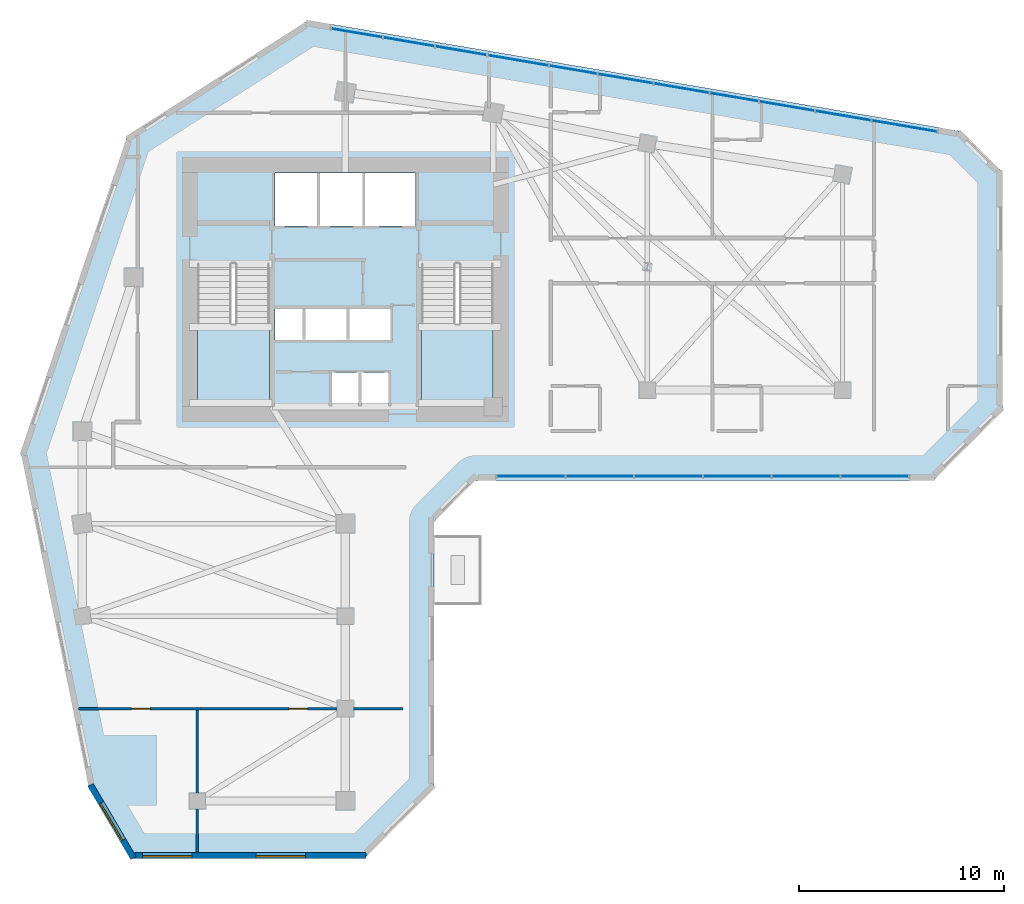
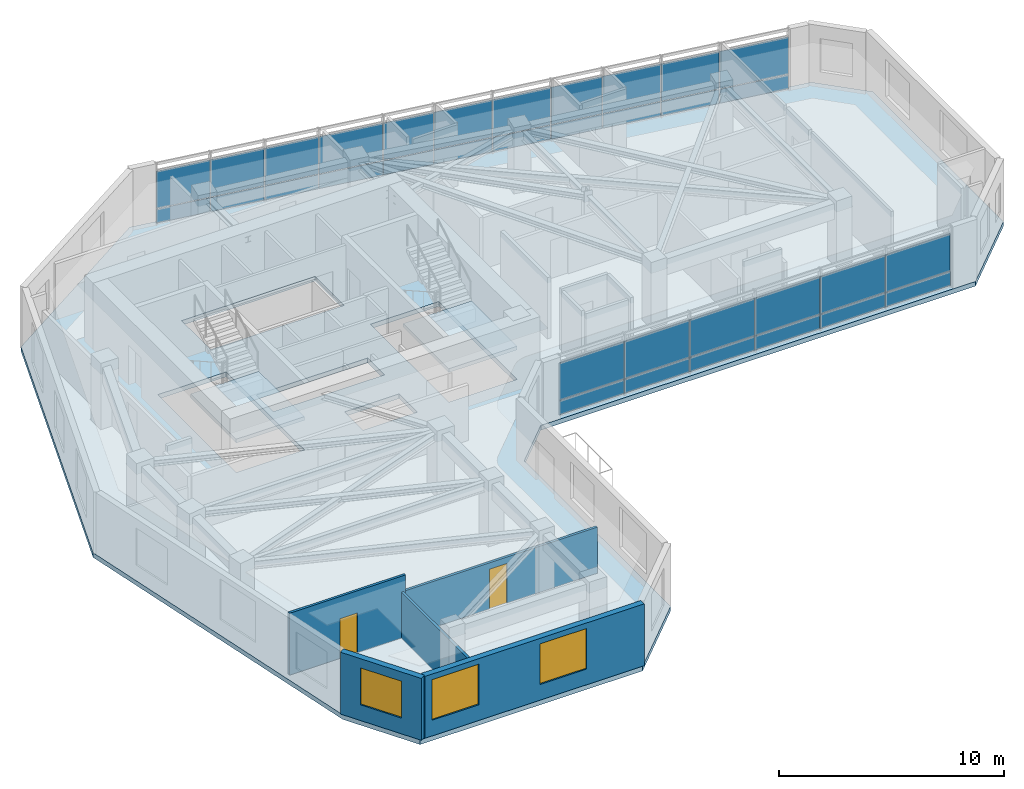
# One storey, part 3 of 10: 34 plates, 5 walls, 3 slabs, 3 windows, 2 doors, 5 openings, 4 elements without a shape of their own.
"""IFC4 building model written with IfcOpenShell, lengths in metres."""

from ifc_helpers import new_model, si_unit, direction, frame, frame_2d, origin, place, context, subcontext, project, spatial, polyline, rectangle, outline, extrude, source, transform, mapped, material, layer, layer_set, type_object, element, fill, aggregate, save


model = new_model("IFC4")

# Units and contexts
model_context = context("Model", 3, precision=1e-05, world=origin(), true_north=direction((0.0, 1.0)))
body_context = subcontext(model_context, "Body", "Model", "MODEL_VIEW")
ifc_project = project(units=[si_unit("LENGTHUNIT", "METRE"), si_unit("AREAUNIT", "SQUARE_METRE"), si_unit("VOLUMEUNIT", "CUBIC_METRE"), si_unit("PLANEANGLEUNIT", "RADIAN"), si_unit("MASSUNIT", "GRAM", prefix="KILO")], contexts=[model_context])

# Site, building, storey
site_placement = place(None, origin())
site = spatial("IfcSite", under=ifc_project, at=site_placement, CompositionType="ELEMENT")
building_placement = place(site_placement, origin())
building = spatial("IfcBuilding", under=site, at=building_placement, Name="Calvemar Wedge Station Tower", CompositionType="ELEMENT")
storey_placement = place(building_placement, frame((0.0, 0.0, 153.800048828125)))
storey = spatial("IfcBuildingStorey", under=building, at=storey_placement, Name="L38", CompositionType="ELEMENT", Elevation=153.800048828125)

# Curtain wall, plates
ifc_material_1 = material(Name="Anodised aluminium 6063-T6", Category="aluminium")
curtain_wall_type = type_object("IfcCurtainWallType", Name="CW2", PredefinedType="NOTDEFINED", material=ifc_material_1)
curtain_wall_1_placement = place(storey_placement, origin())
curtain_wall_1 = element("IfcCurtainWall", 1, at=curtain_wall_1_placement, inside=storey, type_object=curtain_wall_type, Name="Storey L38 CW2 Recessed Unitised Curtain Wall 6", PredefinedType="NOTDEFINED")
ifc_material_2 = material(Name="Low-E laminated insulated glass", Category="glass")
ifc_layer_1 = layer(ifc_material_2, 0.028076171875)
ifc_layer_set_1 = layer_set([ifc_layer_1], Name="Low-E laminated insulated glass")
plate_type_1 = type_object("IfcPlateType", Name="CW2-GLZ", PredefinedType="CURTAIN_PANEL", material=ifc_layer_set_1)
plate_1_placement = place(storey_placement, frame((31.183837890625, 30.802001953125, 0.869873046875), z_axis=(0.0, 0.0, 1.0), x_axis=(1.0, 0.0, 0.0)))
plate_1 = element("IfcPlate", 2, at=plate_1_placement, type_object=plate_type_1, Name="CW2 vision glass panel 1", PredefinedType="CURTAIN_PANEL", context=body_context, shape_type="SweptSolid", body=[
    extrude(rectangle(XDim=3.309326171875, YDim=0.028076171875, at=frame_2d((1.65478515625, 0.0))), origin(), (0.0, 0.0, 1.0), 2.010009765625),
])
plate_2_placement = place(storey_placement, frame((34.529296875, 30.802001953125, 0.869873046875), z_axis=(0.0, 0.0, 1.0), x_axis=(1.0, 0.0, 0.0)))
plate_2 = element("IfcPlate", 3, at=plate_2_placement, type_object=plate_type_1, Name="CW2 vision glass panel 2", PredefinedType="CURTAIN_PANEL", context=body_context, shape_type="SweptSolid", body=[
    extrude(rectangle(XDim=3.309326171875, YDim=0.028076171875, at=frame_2d((1.65478515625, 0.0))), origin(), (0.0, 0.0, 1.0), 2.010009765625),
])
plate_3_placement = place(storey_placement, frame((37.87451171875, 30.802001953125, 0.869873046875), z_axis=(0.0, 0.0, 1.0), x_axis=(1.0, 0.0, 0.0)))
plate_3 = element("IfcPlate", 4, at=plate_3_placement, type_object=plate_type_1, Name="CW2 vision glass panel 3", PredefinedType="CURTAIN_PANEL", context=body_context, shape_type="SweptSolid", body=[
    extrude(rectangle(XDim=3.309326171875, YDim=0.028076171875, at=frame_2d((1.65478515625, 0.0))), origin(), (0.0, 0.0, 1.0), 2.010009765625),
])
plate_4_placement = place(storey_placement, frame((41.219970703125, 30.802001953125, 0.869873046875), z_axis=(0.0, 0.0, 1.0), x_axis=(1.0, 0.0, 0.0)))
plate_4 = element("IfcPlate", 5, at=plate_4_placement, type_object=plate_type_1, Name="CW2 vision glass panel 4", PredefinedType="CURTAIN_PANEL", context=body_context, shape_type="SweptSolid", body=[
    extrude(rectangle(XDim=3.309326171875, YDim=0.028076171875, at=frame_2d((1.65478515625, 0.0))), origin(), (0.0, 0.0, 1.0), 2.010009765625),
])
plate_5_placement = place(storey_placement, frame((44.565185546875, 30.802001953125, 0.869873046875), z_axis=(0.0, 0.0, 1.0), x_axis=(1.0, 0.0, 0.0)))
plate_5 = element("IfcPlate", 6, at=plate_5_placement, type_object=plate_type_1, Name="CW2 vision glass panel 5", PredefinedType="CURTAIN_PANEL", context=body_context, shape_type="SweptSolid", body=[
    extrude(rectangle(XDim=3.309326171875, YDim=0.028076171875, at=frame_2d((1.65478515625, 0.0))), origin(), (0.0, 0.0, 1.0), 2.010009765625),
])
plate_6_placement = place(storey_placement, frame((47.91064453125, 30.802001953125, 0.869873046875), z_axis=(0.0, 0.0, 1.0), x_axis=(1.0, 0.0, 0.0)))
plate_6 = element("IfcPlate", 7, at=plate_6_placement, type_object=plate_type_1, Name="CW2 vision glass panel 6", PredefinedType="CURTAIN_PANEL", context=body_context, shape_type="SweptSolid", body=[
    extrude(rectangle(XDim=3.309326171875, YDim=0.028076171875, at=frame_2d((1.65478515625, 0.0))), origin(), (0.0, 0.0, 1.0), 2.010009765625),
])

curtain_wall_2_placement = place(storey_placement, origin())
curtain_wall_2 = element("IfcCurtainWall", 8, at=curtain_wall_2_placement, inside=storey, type_object=curtain_wall_type, Name="Storey L38 CW2 Recessed Unitised Curtain Wall 10", PredefinedType="NOTDEFINED")
plate_7_placement = place(storey_placement, frame((52.615478515625, 47.580322265625, 0.869873046875), z_axis=(0.0, 0.0, 1.0), x_axis=(-0.985833907649, 0.167724495916, 0.0)))
plate_7 = element("IfcPlate", 9, at=plate_7_placement, type_object=plate_type_1, Name="CW2 vision glass panel 1", PredefinedType="CURTAIN_PANEL", context=body_context, shape_type="SweptSolid", body=[
    extrude(rectangle(XDim=3.2373046875, YDim=0.028076171875, at=frame_2d((1.61865234375, 0.0))), origin(), (0.0, 0.0, 1.0), 2.010009765625),
])
plate_8_placement = place(storey_placement, frame((49.388427734375, 48.129150390625, 0.869873046875), z_axis=(0.0, 0.0, 1.0), x_axis=(-0.985841253523, 0.167681313365, 0.0)))
plate_8 = element("IfcPlate", 10, at=plate_8_placement, type_object=plate_type_1, Name="CW2 vision glass panel 2", PredefinedType="CURTAIN_PANEL", context=body_context, shape_type="SweptSolid", body=[
    extrude(rectangle(XDim=2.7373046875, YDim=0.028076171875, at=frame_2d((1.36865234375, 0.0))), origin(), (0.0, 0.0, 1.0), 2.010009765625),
])
plate_9_placement = place(storey_placement, frame((46.654541015625, 48.59423828125, 0.869873046875), z_axis=(0.0, 0.0, 1.0), x_axis=(-0.985855994039, 0.167594627051, 0.0)))
plate_9 = element("IfcPlate", 11, at=plate_9_placement, type_object=plate_type_1, Name="CW2 vision glass panel 3", PredefinedType="CURTAIN_PANEL", context=body_context, shape_type="SweptSolid", body=[
    extrude(rectangle(XDim=2.7373046875, YDim=0.028076171875, at=frame_2d((1.36865234375, 0.0))), origin(), (0.0, 0.0, 1.0), 2.010009765625),
])
plate_10_placement = place(storey_placement, frame((43.92041015625, 49.05908203125, 0.869873046875), z_axis=(0.0, 0.0, 1.0), x_axis=(-0.985846595031, 0.167649906248, 0.0)))
plate_10 = element("IfcPlate", 12, at=plate_10_placement, type_object=plate_type_1, Name="CW2 vision glass panel 4", PredefinedType="CURTAIN_PANEL", context=body_context, shape_type="SweptSolid", body=[
    extrude(rectangle(XDim=2.3984375, YDim=0.028076171875, at=frame_2d((1.19921875, 0.0))), origin(), (0.0, 0.0, 1.0), 2.010009765625),
])
plate_11_placement = place(storey_placement, frame((41.5205078125, 49.46728515625, 0.869873046875), z_axis=(0.0, 0.0, 1.0), x_axis=(-0.985850982189, 0.167624106012, 0.0)))
plate_11 = element("IfcPlate", 13, at=plate_11_placement, type_object=plate_type_1, Name="CW2 vision glass panel 5", PredefinedType="CURTAIN_PANEL", context=body_context, shape_type="SweptSolid", body=[
    extrude(rectangle(XDim=2.73681640625, YDim=0.028076171875, at=frame_2d((1.368408203125, 0.0))), origin(), (0.0, 0.0, 1.0), 2.010009765625),
])
plate_12_placement = place(storey_placement, frame((38.786865234375, 49.93212890625, 0.869873046875), z_axis=(0.0, 0.0, 1.0), x_axis=(-0.985836236562, 0.167710806691, 0.0)))
plate_12 = element("IfcPlate", 14, at=plate_12_placement, type_object=plate_type_1, Name="CW2 vision glass panel 6", PredefinedType="CURTAIN_PANEL", context=body_context, shape_type="SweptSolid", body=[
    extrude(rectangle(XDim=2.73681640625, YDim=0.028076171875, at=frame_2d((1.368408203125, 0.0))), origin(), (0.0, 0.0, 1.0), 2.010009765625),
])
plate_13_placement = place(storey_placement, frame((36.053466796875, 50.39697265625, 0.869873046875), z_axis=(0.0, 0.0, 1.0), x_axis=(-0.985834995833, 0.167718099774, 0.0)))
plate_13 = element("IfcPlate", 15, at=plate_13_placement, type_object=plate_type_1, Name="CW2 vision glass panel 7", PredefinedType="CURTAIN_PANEL", context=body_context, shape_type="SweptSolid", body=[
    extrude(rectangle(XDim=2.361083984375, YDim=0.028076171875, at=frame_2d((1.1806640625, 0.0))), origin(), (0.0, 0.0, 1.0), 2.010009765625),
])
plate_14_placement = place(storey_placement, frame((33.6904296875, 50.798828125, 0.869873046875), z_axis=(0.0, 0.0, 1.0), x_axis=(-0.985846589489, 0.167649938837, 0.0)))
plate_14 = element("IfcPlate", 16, at=plate_14_placement, type_object=plate_type_1, Name="CW2 vision glass panel 8", PredefinedType="CURTAIN_PANEL", context=body_context, shape_type="SweptSolid", body=[
    extrude(rectangle(XDim=3.007080078125, YDim=0.028076171875, at=frame_2d((1.50341796875, 0.0))), origin(), (0.0, 0.0, 1.0), 2.010009765625),
])
plate_15_placement = place(storey_placement, frame((30.6904296875, 51.30908203125, 0.869873046875), z_axis=(0.0, 0.0, 1.0), x_axis=(-0.985852344868, 0.167616091467, 0.0)))
plate_15 = element("IfcPlate", 17, at=plate_15_placement, type_object=plate_type_1, Name="CW2 vision glass panel 9", PredefinedType="CURTAIN_PANEL", context=body_context, shape_type="SweptSolid", body=[
    extrude(rectangle(XDim=2.534423828125, YDim=0.028076171875, at=frame_2d((1.26708984375, 0.0))), origin(), (0.0, 0.0, 1.0), 2.010009765625),
])
plate_16_placement = place(storey_placement, frame((28.156494140625, 51.739990234375, 0.869873046875), z_axis=(0.0, 0.0, 1.0), x_axis=(-0.985852344868, 0.167616091467, 0.0)))
plate_16 = element("IfcPlate", 18, at=plate_16_placement, type_object=plate_type_1, Name="CW2 vision glass panel 10", PredefinedType="CURTAIN_PANEL", context=body_context, shape_type="SweptSolid", body=[
    extrude(rectangle(XDim=2.534423828125, YDim=0.028076171875, at=frame_2d((1.26708984375, 0.0))), origin(), (0.0, 0.0, 1.0), 2.010009765625),
])
plate_17_placement = place(storey_placement, frame((25.622314453125, 52.1708984375, 0.869873046875), z_axis=(0.0, 0.0, 1.0), x_axis=(-0.985833712673, 0.16772564192, 0.0)))
plate_17 = element("IfcPlate", 19, at=plate_17_placement, type_object=plate_type_1, Name="CW2 vision glass panel 11", PredefinedType="CURTAIN_PANEL", context=body_context, shape_type="SweptSolid", body=[
    extrude(rectangle(XDim=2.5341796875, YDim=0.028076171875, at=frame_2d((1.26708984375, 0.0))), origin(), (0.0, 0.0, 1.0), 2.010009765625),
])

# Plate
ifc_material_3 = material(Name="Oxidized bronze aluminium spandrel panel 5005-H24", Category="aluminium")
ifc_layer_2 = layer(ifc_material_3, 0.0400390625)
ifc_layer_set_2 = layer_set([ifc_layer_2], Name="Oxidized bronze aluminium spandrel panel 5005-H24")
plate_type_2 = type_object("IfcPlateType", Name="CW2-SPD", PredefinedType="SHEET", material=ifc_layer_set_2)
plate_18_placement = place(storey_placement, frame((31.183837890625, 30.802001953125, 0.079833984375), z_axis=(0.0, 0.0, 1.0), x_axis=(1.0, 0.0, 0.0)))
plate_18 = element("IfcPlate", 20, at=plate_18_placement, type_object=plate_type_2, Name="CW2 bronze spandrel panel 1", PredefinedType="SHEET", context=body_context, shape_type="SweptSolid", body=[
    extrude(rectangle(XDim=3.309326171875, YDim=0.0400390625, at=frame_2d((1.65478515625, 0.0))), origin(), (0.0, 0.0, 1.0), 0.75),
])

plate_19_placement = place(storey_placement, frame((34.529296875, 30.802001953125, 0.079833984375), z_axis=(0.0, 0.0, 1.0), x_axis=(1.0, 0.0, 0.0)))
plate_19 = element("IfcPlate", 21, at=plate_19_placement, type_object=plate_type_2, Name="CW2 bronze spandrel panel 2", PredefinedType="SHEET", context=body_context, shape_type="SweptSolid", body=[
    extrude(rectangle(XDim=3.309326171875, YDim=0.0400390625, at=frame_2d((1.65478515625, 0.0))), origin(), (0.0, 0.0, 1.0), 0.75),
])

plate_20_placement = place(storey_placement, frame((37.87451171875, 30.802001953125, 0.079833984375), z_axis=(0.0, 0.0, 1.0), x_axis=(1.0, 0.0, 0.0)))
plate_20 = element("IfcPlate", 22, at=plate_20_placement, type_object=plate_type_2, Name="CW2 bronze spandrel panel 3", PredefinedType="SHEET", context=body_context, shape_type="SweptSolid", body=[
    extrude(rectangle(XDim=3.309326171875, YDim=0.0400390625, at=frame_2d((1.65478515625, 0.0))), origin(), (0.0, 0.0, 1.0), 0.75),
])

plate_21_placement = place(storey_placement, frame((41.219970703125, 30.802001953125, 0.079833984375), z_axis=(0.0, 0.0, 1.0), x_axis=(1.0, 0.0, 0.0)))
plate_21 = element("IfcPlate", 23, at=plate_21_placement, type_object=plate_type_2, Name="CW2 bronze spandrel panel 4", PredefinedType="SHEET", context=body_context, shape_type="SweptSolid", body=[
    extrude(rectangle(XDim=3.309326171875, YDim=0.0400390625, at=frame_2d((1.65478515625, 0.0))), origin(), (0.0, 0.0, 1.0), 0.75),
])

plate_22_placement = place(storey_placement, frame((44.565185546875, 30.802001953125, 0.079833984375), z_axis=(0.0, 0.0, 1.0), x_axis=(1.0, 0.0, 0.0)))
plate_22 = element("IfcPlate", 24, at=plate_22_placement, type_object=plate_type_2, Name="CW2 bronze spandrel panel 5", PredefinedType="SHEET", context=body_context, shape_type="SweptSolid", body=[
    extrude(rectangle(XDim=3.309326171875, YDim=0.0400390625, at=frame_2d((1.65478515625, 0.0))), origin(), (0.0, 0.0, 1.0), 0.75),
])

plate_23_placement = place(storey_placement, frame((47.91064453125, 30.802001953125, 0.079833984375), z_axis=(0.0, 0.0, 1.0), x_axis=(1.0, 0.0, 0.0)))
plate_23 = element("IfcPlate", 25, at=plate_23_placement, type_object=plate_type_2, Name="CW2 bronze spandrel panel 6", PredefinedType="SHEET", context=body_context, shape_type="SweptSolid", body=[
    extrude(rectangle(XDim=3.309326171875, YDim=0.0400390625, at=frame_2d((1.65478515625, 0.0))), origin(), (0.0, 0.0, 1.0), 0.75),
])

aggregate(curtain_wall_1, [plate_18, plate_1, plate_19, plate_2, plate_20, plate_3, plate_21, plate_4, plate_22, plate_5, plate_23, plate_6])

plate_24_placement = place(storey_placement, frame((52.615478515625, 47.580322265625, 0.079833984375), z_axis=(0.0, 0.0, 1.0), x_axis=(-0.985833907649, 0.167724495916, 0.0)))
plate_24 = element("IfcPlate", 26, at=plate_24_placement, type_object=plate_type_2, Name="CW2 bronze spandrel panel 1", PredefinedType="SHEET", context=body_context, shape_type="SweptSolid", body=[
    extrude(rectangle(XDim=3.2373046875, YDim=0.0400390625, at=frame_2d((1.61865234375, 0.0))), origin(), (0.0, 0.0, 1.0), 0.75),
])

plate_25_placement = place(storey_placement, frame((49.388427734375, 48.129150390625, 0.079833984375), z_axis=(0.0, 0.0, 1.0), x_axis=(-0.985841253523, 0.167681313365, 0.0)))
plate_25 = element("IfcPlate", 27, at=plate_25_placement, type_object=plate_type_2, Name="CW2 bronze spandrel panel 2", PredefinedType="SHEET", context=body_context, shape_type="SweptSolid", body=[
    extrude(rectangle(XDim=2.7373046875, YDim=0.0400390625, at=frame_2d((1.36865234375, 0.0))), origin(), (0.0, 0.0, 1.0), 0.75),
])

plate_26_placement = place(storey_placement, frame((46.654541015625, 48.59423828125, 0.079833984375), z_axis=(0.0, 0.0, 1.0), x_axis=(-0.985855994039, 0.167594627051, 0.0)))
plate_26 = element("IfcPlate", 28, at=plate_26_placement, type_object=plate_type_2, Name="CW2 bronze spandrel panel 3", PredefinedType="SHEET", context=body_context, shape_type="SweptSolid", body=[
    extrude(rectangle(XDim=2.7373046875, YDim=0.0400390625, at=frame_2d((1.36865234375, 0.0))), origin(), (0.0, 0.0, 1.0), 0.75),
])

plate_27_placement = place(storey_placement, frame((43.92041015625, 49.05908203125, 0.079833984375), z_axis=(0.0, 0.0, 1.0), x_axis=(-0.985846595031, 0.167649906248, 0.0)))
plate_27 = element("IfcPlate", 29, at=plate_27_placement, type_object=plate_type_2, Name="CW2 bronze spandrel panel 4", PredefinedType="SHEET", context=body_context, shape_type="SweptSolid", body=[
    extrude(rectangle(XDim=2.3984375, YDim=0.0400390625, at=frame_2d((1.19921875, 0.0))), origin(), (0.0, 0.0, 1.0), 0.75),
])

plate_28_placement = place(storey_placement, frame((41.5205078125, 49.46728515625, 0.079833984375), z_axis=(0.0, 0.0, 1.0), x_axis=(-0.985850982189, 0.167624106012, 0.0)))
plate_28 = element("IfcPlate", 30, at=plate_28_placement, type_object=plate_type_2, Name="CW2 bronze spandrel panel 5", PredefinedType="SHEET", context=body_context, shape_type="SweptSolid", body=[
    extrude(rectangle(XDim=2.73681640625, YDim=0.0400390625, at=frame_2d((1.368408203125, 0.0))), origin(), (0.0, 0.0, 1.0), 0.75),
])

plate_29_placement = place(storey_placement, frame((38.786865234375, 49.93212890625, 0.079833984375), z_axis=(0.0, 0.0, 1.0), x_axis=(-0.985836236562, 0.167710806691, 0.0)))
plate_29 = element("IfcPlate", 31, at=plate_29_placement, type_object=plate_type_2, Name="CW2 bronze spandrel panel 6", PredefinedType="SHEET", context=body_context, shape_type="SweptSolid", body=[
    extrude(rectangle(XDim=2.73681640625, YDim=0.0400390625, at=frame_2d((1.368408203125, 0.0))), origin(), (0.0, 0.0, 1.0), 0.75),
])

plate_30_placement = place(storey_placement, frame((36.053466796875, 50.39697265625, 0.079833984375), z_axis=(0.0, 0.0, 1.0), x_axis=(-0.985834995833, 0.167718099774, 0.0)))
plate_30 = element("IfcPlate", 32, at=plate_30_placement, type_object=plate_type_2, Name="CW2 bronze spandrel panel 7", PredefinedType="SHEET", context=body_context, shape_type="SweptSolid", body=[
    extrude(rectangle(XDim=2.361083984375, YDim=0.0400390625, at=frame_2d((1.1806640625, 0.0))), origin(), (0.0, 0.0, 1.0), 0.75),
])

plate_31_placement = place(storey_placement, frame((33.6904296875, 50.798828125, 0.079833984375), z_axis=(0.0, 0.0, 1.0), x_axis=(-0.985846589489, 0.167649938837, 0.0)))
plate_31 = element("IfcPlate", 33, at=plate_31_placement, type_object=plate_type_2, Name="CW2 bronze spandrel panel 8", PredefinedType="SHEET", context=body_context, shape_type="SweptSolid", body=[
    extrude(rectangle(XDim=3.007080078125, YDim=0.0400390625, at=frame_2d((1.50341796875, 0.0))), origin(), (0.0, 0.0, 1.0), 0.75),
])

plate_32_placement = place(storey_placement, frame((30.6904296875, 51.30908203125, 0.079833984375), z_axis=(0.0, 0.0, 1.0), x_axis=(-0.985852344868, 0.167616091467, 0.0)))
plate_32 = element("IfcPlate", 34, at=plate_32_placement, type_object=plate_type_2, Name="CW2 bronze spandrel panel 9", PredefinedType="SHEET", context=body_context, shape_type="SweptSolid", body=[
    extrude(rectangle(XDim=2.534423828125, YDim=0.0400390625, at=frame_2d((1.26708984375, 0.0))), origin(), (0.0, 0.0, 1.0), 0.75),
])

plate_33_placement = place(storey_placement, frame((28.156494140625, 51.739990234375, 0.079833984375), z_axis=(0.0, 0.0, 1.0), x_axis=(-0.985852344868, 0.167616091467, 0.0)))
plate_33 = element("IfcPlate", 35, at=plate_33_placement, type_object=plate_type_2, Name="CW2 bronze spandrel panel 10", PredefinedType="SHEET", context=body_context, shape_type="SweptSolid", body=[
    extrude(rectangle(XDim=2.534423828125, YDim=0.0400390625, at=frame_2d((1.26708984375, 0.0))), origin(), (0.0, 0.0, 1.0), 0.75),
])

plate_34_placement = place(storey_placement, frame((25.622314453125, 52.1708984375, 0.079833984375), z_axis=(0.0, 0.0, 1.0), x_axis=(-0.985833712673, 0.16772564192, 0.0)))
plate_34 = element("IfcPlate", 36, at=plate_34_placement, type_object=plate_type_2, Name="CW2 bronze spandrel panel 11", PredefinedType="SHEET", context=body_context, shape_type="SweptSolid", body=[
    extrude(rectangle(XDim=2.5341796875, YDim=0.0400390625, at=frame_2d((1.26708984375, 0.0))), origin(), (0.0, 0.0, 1.0), 0.75),
])

aggregate(curtain_wall_2, [plate_24, plate_7, plate_25, plate_8, plate_26, plate_9, plate_27, plate_10, plate_28, plate_11, plate_29, plate_12, plate_30, plate_13, plate_31, plate_14, plate_32, plate_15, plate_33, plate_16, plate_34, plate_17])

# Stair, slab
ifc_material_4 = material(Name="Concrete C45", Category="concrete")
stair_type = type_object("IfcStairType", Name="ST-TYPE-3600", PredefinedType="HALF_TURN_STAIR", material=ifc_material_4)
stair_1_placement = place(storey_placement, origin())
stair_1 = element("IfcStair", 37, at=stair_1_placement, inside=storey, type_object=stair_type, Name="L38 Pressurized Core Exit Stair ST-C1", PredefinedType="HALF_TURN_STAIR")
ifc_layer_3 = layer(ifc_material_4, 0.199951171875)
ifc_layer_set_3 = layer_set([ifc_layer_3], Name="Concrete C45")
slab_type_1 = type_object("IfcSlabType", Name="SL-STAIR-LND-200", PredefinedType="LANDING", material=ifc_layer_set_3)
slab_1_placement = place(storey_placement, frame((0.0, 0.0, 1.599853515625)))
slab_1 = element("IfcSlab", 38, at=slab_1_placement, type_object=slab_type_1, Name="ST-C1 landing 1", PredefinedType="LANDING", context=body_context, shape_type="SweptSolid", body=[
    extrude(outline(polyline([(16.60009765625, 38.25), (16.60009765625, 34.199951171875), (20.10009765625, 34.199951171875), (20.10009765625, 38.25), (16.60009765625, 38.25)])), origin(), (0.0, 0.0, 1.0), 0.2001953125),
])
aggregate(stair_1, [slab_1])

stair_2_placement = place(storey_placement, origin())
stair_2 = element("IfcStair", 39, at=stair_2_placement, inside=storey, type_object=stair_type, Name="L38 Pressurized Core Exit Stair ST-C2", PredefinedType="HALF_TURN_STAIR")
slab_2_placement = place(storey_placement, frame((0.0, 0.0, 1.599853515625)))
slab_2 = element("IfcSlab", 40, at=slab_2_placement, type_object=slab_type_1, Name="ST-C2 landing 1", PredefinedType="LANDING", context=body_context, shape_type="SweptSolid", body=[
    extrude(outline(polyline([(27.5, 38.25), (27.5, 34.199951171875), (31.0, 34.199951171875), (31.0, 38.25), (27.5, 38.25)])), origin(), (0.0, 0.0, 1.0), 0.2001953125),
])
aggregate(stair_2, [slab_2])

# Slab
ifc_material_5 = material(Name="Concrete C50", Category="concrete")
ifc_layer_4 = layer(ifc_material_5, 0.25)
ifc_layer_set_4 = layer_set([ifc_layer_4], Name="Concrete C50")
slab_type_2 = type_object("IfcSlabType", Name="SL-TYP-250", PredefinedType="FLOOR", material=ifc_layer_set_4)
slab_3_placement = place(storey_placement, frame((0.0, 0.0, -0.25)))
element("IfcSlab", 41, at=slab_3_placement, inside=storey, type_object=slab_type_2, Name="Storey L38 Structural Floor Slab", PredefinedType="FLOOR", context=body_context, shape_type="SweptSolid", body=[
    extrude(outline(polyline([(8.0, 32.0), (11.327880859375, 15.60009765625), (13.327880859375, 12.199951171875), (24.72802734375, 12.199951171875), (28.1279296875, 15.60009765625), (28.1279296875, 28.592041015625), (30.1279296875, 30.592041015625), (52.39990234375, 30.592041015625), (55.800048828125, 33.991943359375), (55.800048828125, 45.592041015625), (53.800048828125, 47.592041015625), (22.0, 53.0), (13.199951171875, 47.39990234375), (8.0, 32.0)]), holes=[polyline([(24.52001953125, 35.85009765625), (24.510009765625, 35.85009765625), (23.1201171875, 35.85009765625), (23.1201171875, 34.219970703125), (24.510009765625, 34.219970703125), (24.52001953125, 34.219970703125), (25.909912109375, 34.219970703125), (25.909912109375, 35.85009765625), (24.52001953125, 35.85009765625)]), polyline([(16.60009765625, 34.199951171875), (20.10009765625, 34.199951171875), (20.10009765625, 41.14990234375), (16.60009765625, 41.14990234375), (16.60009765625, 34.199951171875)]), polyline([(27.5, 34.199951171875), (31.0, 34.199951171875), (31.0, 41.14990234375), (27.5, 41.14990234375), (27.5, 34.199951171875)]), polyline([(21.800048828125, 38.949951171875), (21.7900390625, 38.949951171875), (20.3798828125, 38.949951171875), (20.3798828125, 37.449951171875), (21.7900390625, 37.449951171875), (21.800048828125, 37.449951171875), (23.929931640625, 37.449951171875), (23.93994140625, 37.449951171875), (26.080078125, 37.449951171875), (26.080078125, 38.949951171875), (23.93994140625, 38.949951171875), (23.929931640625, 38.949951171875), (21.800048828125, 38.949951171875)]), polyline([(27.219970703125, 43.0), (27.219970703125, 45.580078125), (20.3798828125, 45.580078125), (20.3798828125, 43.0), (27.219970703125, 43.0)])]), origin(), (0.0, 0.0, 1.0), 0.25),
])

# Wall, opening, window
ifc_material_6 = material(Name="Precast concrete C45", Category="concrete")
ifc_layer_5 = layer(ifc_material_6, 0.300048828125)
ifc_layer_set_5 = layer_set([ifc_layer_5], Name="Precast concrete C45")
wall_type_1 = type_object("IfcWallType", Name="W-EXT-GFRC-300", PredefinedType="SOLIDWALL", material=ifc_layer_set_5)
wall_1_placement = place(storey_placement, frame((11.39404296875, 15.78369140625, 0.0), z_axis=(0.0, 0.0, 1.0), x_axis=(0.50698915279, -0.861952434275, 0.0)))
wall_1 = element("IfcWall", 42, at=wall_1_placement, inside=storey, type_object=wall_type_1, Name="Storey L38 Bronze GFRC Exterior Wall 1", PredefinedType="SOLIDWALL", context=body_context, shape_type="SweptSolid", body=[
    extrude(rectangle(XDim=4.133544921875, YDim=0.300048828125, at=frame_2d((2.06689453125, 0.0))), origin(), (0.0, 0.0, 1.0), 3.349853515625),
])
shared_shape_1 = source(origin(), body_context, "Body", "SweptSolid", [
    extrude(rectangle(XDim=2.10009765625, YDim=2.0, at=frame_2d((1.050048828125, 1.0))), frame((0.0, 0.16015625, 0.0), z_axis=(0.0, -1.0, 0.0), x_axis=(1.0, 0.0, 0.0)), (0.0, 0.0, 1.0), 0.320068359375),
])
opening_1_placement = place(wall_1_placement, frame((1.01708984375, 0.0, 0.85009765625)))
opening_1 = element("IfcOpeningElement", 43, at=opening_1_placement, cuts=wall_1, Name="Opening W4", PredefinedType="OPENING", context=body_context, shape_type="MappedRepresentation", body=[
    mapped(shared_shape_1, transform((0.0, 0.0, 0.0), scale=1.0)),
])
window_type_1 = type_object("IfcWindowType", Name="WIN-EXT-4", PartitioningType="SINGLE_PANEL", PredefinedType="WINDOW", material=ifc_material_2)
shared_shape_2 = source(origin(), body_context, "Body", "SweptSolid", [
    extrude(rectangle(XDim=2.10009765625, YDim=2.0, at=frame_2d((1.050048828125, 1.0))), frame((0.0, -0.014892578125, 0.0), z_axis=(0.0, -1.0, 0.0), x_axis=(1.0, 0.0, 0.0)), (0.0, 0.0, 1.0), 0.06005859375),
])
window_1_placement = place(opening_1_placement, origin())
window_1 = element("IfcWindow", 44, at=window_1_placement, inside=storey, type_object=window_type_1, Name="Storey L38 Recessed Window 1.1", OverallHeight=2.0, OverallWidth=2.10009765625, PartitioningType="SINGLE_PANEL", PredefinedType="WINDOW", context=body_context, shape_type="MappedRepresentation", body=[
    mapped(shared_shape_2, transform((0.0, 0.0, 0.0), scale=1.0)),
])
fill(opening_1, window_1)

# Wall, openings, windows
wall_2_placement = place(storey_placement, frame((13.57373046875, 12.35009765625, 0.0), z_axis=(0.0, 0.0, 1.0), x_axis=(1.0, 0.0, 0.0)))
wall_2 = element("IfcWall", 45, at=wall_2_placement, inside=storey, type_object=wall_type_1, Name="Storey L38 Bronze GFRC Exterior Wall 2", PredefinedType="SOLIDWALL", context=body_context, shape_type="SweptSolid", body=[
    extrude(rectangle(XDim=11.2421875, YDim=0.300048828125, at=frame_2d((5.62109375, 0.0))), origin(), (0.0, 0.0, 1.0), 3.349853515625),
])
shared_shape_3 = source(origin(), body_context, "Body", "SweptSolid", [
    extrude(rectangle(XDim=2.39990234375, YDim=2.199951171875, at=frame_2d((1.199951171875, 1.10009765625))), frame((0.0, 0.16015625, 0.0), z_axis=(0.0, -1.0, 0.0), x_axis=(1.0, 0.0, 0.0)), (0.0, 0.0, 1.0), 0.320068359375),
])
opening_2_placement = place(wall_2_placement, frame((0.363037109375, 0.0, 0.85009765625)))
opening_2 = element("IfcOpeningElement", 46, at=opening_2_placement, cuts=wall_2, Name="Opening W1", PredefinedType="OPENING", context=body_context, shape_type="MappedRepresentation", body=[
    mapped(shared_shape_3, transform((0.0, 0.0, 0.0), scale=1.0)),
])
opening_3_placement = place(wall_2_placement, frame((5.884033203125, 0.0, 0.85009765625)))
opening_3 = element("IfcOpeningElement", 47, at=opening_3_placement, cuts=wall_2, Name="Opening W1", PredefinedType="OPENING", context=body_context, shape_type="MappedRepresentation", body=[
    mapped(shared_shape_3, transform((0.0, 0.0, 0.0), scale=1.0)),
])
window_type_2 = type_object("IfcWindowType", Name="WIN-EXT-1", PartitioningType="SINGLE_PANEL", PredefinedType="WINDOW", material=ifc_material_2)
shared_shape_4 = source(origin(), body_context, "Body", "SweptSolid", [
    extrude(rectangle(XDim=2.39990234375, YDim=2.199951171875, at=frame_2d((1.199951171875, 1.10009765625))), frame((0.0, -0.014892578125, 0.0), z_axis=(0.0, -1.0, 0.0), x_axis=(1.0, 0.0, 0.0)), (0.0, 0.0, 1.0), 0.06005859375),
])
window_2_placement = place(opening_2_placement, origin())
window_2 = element("IfcWindow", 48, at=window_2_placement, inside=storey, type_object=window_type_2, Name="Storey L38 Recessed Window 2.1", OverallHeight=2.199951171875, OverallWidth=2.39990234375, PartitioningType="SINGLE_PANEL", PredefinedType="WINDOW", context=body_context, shape_type="MappedRepresentation", body=[
    mapped(shared_shape_4, transform((0.0, 0.0, 0.0), scale=1.0)),
])
fill(opening_2, window_2)
window_3_placement = place(opening_3_placement, origin())
window_3 = element("IfcWindow", 49, at=window_3_placement, inside=storey, type_object=window_type_2, Name="Storey L38 Recessed Window 2.2", OverallHeight=2.199951171875, OverallWidth=2.39990234375, PartitioningType="SINGLE_PANEL", PredefinedType="WINDOW", context=body_context, shape_type="MappedRepresentation", body=[
    mapped(shared_shape_4, transform((0.0, 0.0, 0.0), scale=1.0)),
])
fill(opening_3, window_3)

# Wall, opening, door
ifc_material_7 = material(Name="Insulated acoustic gypsum stud partition")
ifc_layer_6 = layer(ifc_material_7, 0.125)
ifc_layer_set_6 = layer_set([ifc_layer_6], Name="Insulated acoustic gypsum stud partition")
wall_type_2 = type_object("IfcWallType", Name="W-PART-125", PredefinedType="PARTITIONING", material=ifc_layer_set_6)
wall_3_placement = place(storey_placement, frame((16.760009765625, 19.5, 0.0), z_axis=(0.0, 0.0, 1.0), x_axis=(-1.0, 0.0, 0.0)))
wall_3 = element("IfcWall", 50, at=wall_3_placement, inside=storey, type_object=wall_type_2, Name="Storey L38 Interior Partition WL-L38-038", PredefinedType="PARTITIONING", context=body_context, shape_type="SweptSolid", body=[
    extrude(rectangle(XDim=5.953125, YDim=0.125, at=frame_2d((2.9765625, 0.0))), origin(), (0.0, 0.0, 1.0), 3.349853515625),
])
shared_shape_5 = source(origin(), body_context, "Body", "SweptSolid", [
    extrude(rectangle(XDim=0.89990234375, YDim=2.14990234375, at=frame_2d((0.449951171875, 1.074951171875))), frame((0.0, 0.072509765625, 0.0), z_axis=(0.0, -1.0, 0.0), x_axis=(1.0, 0.0, 0.0)), (0.0, 0.0, 1.0), 0.14501953125),
])
opening_4_placement = place(wall_3_placement, frame((2.4658203125, 0.0, 0.0)))
opening_4 = element("IfcOpeningElement", 51, at=opening_4_placement, cuts=wall_3, Name="Opening D-01", PredefinedType="OPENING", context=body_context, shape_type="MappedRepresentation", body=[
    mapped(shared_shape_5, transform((0.0, 0.0, 0.0), scale=1.0)),
])
ifc_material_8 = material(Name="Architectural hardwood acoustic swing door", Category="wood")
door_type = type_object("IfcDoorType", Name="DR-INT-900", OperationType="NOTDEFINED", PredefinedType="DOOR", material=ifc_material_8)
shared_shape_6 = source(origin(), body_context, "Body", "SweptSolid", [
    extrude(rectangle(XDim=0.89990234375, YDim=2.14990234375, at=frame_2d((0.449951171875, 1.074951171875))), frame((0.0, 0.02490234375, 0.0), z_axis=(0.0, -1.0, 0.0), x_axis=(1.0, 0.0, 0.0)), (0.0, 0.0, 1.0), 0.050048828125),
])
door_1_placement = place(opening_4_placement, origin())
door_1 = element("IfcDoor", 52, at=door_1_placement, inside=storey, type_object=door_type, Name="L38 Fitness Studio Door", OperationType="SINGLE_SWING_RIGHT", OverallHeight=2.14990234375, OverallWidth=0.89990234375, PredefinedType="DOOR", context=body_context, shape_type="MappedRepresentation", body=[
    mapped(shared_shape_6, transform((0.0, 0.0, 0.0), scale=1.0)),
])
fill(opening_4, door_1)

wall_4_placement = place(storey_placement, frame((26.60009765625, 19.5, 0.0), z_axis=(0.0, 0.0, 1.0), x_axis=(-1.0, 0.0, 0.0)))
wall_4 = element("IfcWall", 53, at=wall_4_placement, inside=storey, type_object=wall_type_2, Name="Storey L38 Interior Partition WL-L38-039", PredefinedType="PARTITIONING", context=body_context, shape_type="SweptSolid", body=[
    extrude(rectangle(XDim=9.838134765625, YDim=0.125, at=frame_2d((4.9189453125, 0.0))), origin(), (0.0, 0.0, 1.0), 2.491943359375),
])
opening_5_placement = place(wall_4_placement, frame((4.651123046875, 0.0, 0.0)))
opening_5 = element("IfcOpeningElement", 54, at=opening_5_placement, cuts=wall_4, Name="Opening D-01", PredefinedType="OPENING", context=body_context, shape_type="MappedRepresentation", body=[
    mapped(shared_shape_5, transform((0.0, 0.0, 0.0), scale=1.0)),
])
door_2_placement = place(opening_5_placement, origin())
door_2 = element("IfcDoor", 55, at=door_2_placement, inside=storey, type_object=door_type, Name="L38 Tea Study Salon Door", OperationType="SINGLE_SWING_LEFT", OverallHeight=2.14990234375, OverallWidth=0.89990234375, PredefinedType="DOOR", context=body_context, shape_type="MappedRepresentation", body=[
    mapped(shared_shape_6, transform((0.0, 0.0, 0.0), scale=1.0)),
])
fill(opening_5, door_2)

# Wall
wall_5_placement = place(storey_placement, frame((16.60009765625, 19.43359375, 0.0), z_axis=(0.0, 0.0, 1.0), x_axis=(0.0, -1.0, 0.0)))
element("IfcWall", 56, at=wall_5_placement, inside=storey, type_object=wall_type_2, Name="Storey L38 Interior Partition WL-L38-040", PredefinedType="PARTITIONING", context=body_context, shape_type="SweptSolid", body=[
    extrude(rectangle(XDim=6.968505859375, YDim=0.125, at=frame_2d((3.484375, 0.0))), origin(), (0.0, 0.0, 1.0), 2.491943359375),
])

save(model, "model.ifc")
